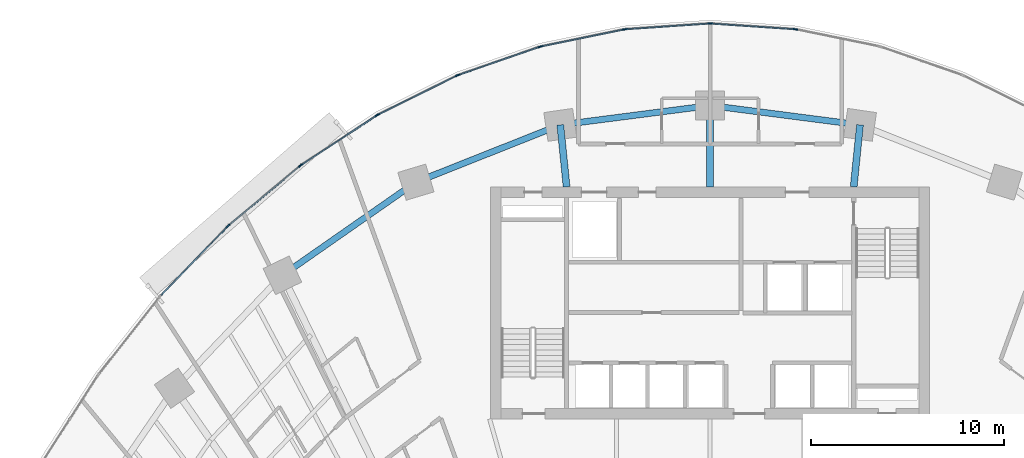
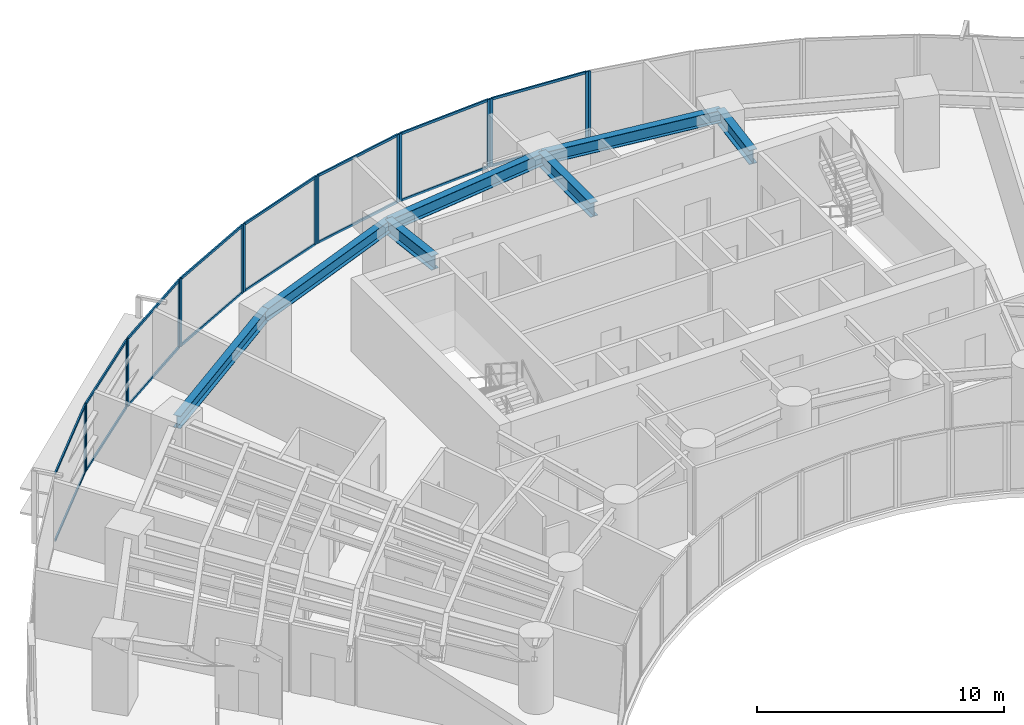
# One storey, part 6 of 18: 32 members, 7 beams, 9 elements without a shape of their own.
"""IFC4 building model written with IfcOpenShell, lengths in metres."""

from ifc_helpers import new_model, si_unit, direction, frame, origin, origin_2d, place, context, subcontext, project, spatial, rectangle, i_section, extrude, source, transform, mapped, material, layer, layer_set, material_profile, profile_set, type_object, type_shapes, element, aggregate, save


model = new_model("IFC4")

# Units and contexts
model_context = context("Model", 3, precision=1e-05, world=origin(), true_north=direction((0.0, 1.0)))
body_context = subcontext(model_context, "Body", "Model", "MODEL_VIEW")
ifc_project = project(units=[si_unit("LENGTHUNIT", "METRE"), si_unit("AREAUNIT", "SQUARE_METRE"), si_unit("VOLUMEUNIT", "CUBIC_METRE"), si_unit("PLANEANGLEUNIT", "RADIAN"), si_unit("MASSUNIT", "GRAM", prefix="KILO")], contexts=[model_context])

# Site, building, storey
site_placement = place(None, origin())
site = spatial("IfcSite", under=ifc_project, at=site_placement, CompositionType="ELEMENT")
building_placement = place(site_placement, origin())
building = spatial("IfcBuilding", under=site, at=building_placement, Name="Breltana Convention Tower", CompositionType="ELEMENT")
storey_placement = place(building_placement, frame((0.0, 0.0, 35.39990234375)))
storey = spatial("IfcBuildingStorey", under=building, at=storey_placement, Name="L06", CompositionType="ELEMENT", Elevation=35.39990234375)

# Beams
ifc_material_1 = material(Name="Steel ASTM A992 Grade 50", Category="steel")
ifc_material_profile_1 = material_profile(ifc_material_1, i_section(OverallWidth=0.323974609375, OverallDepth=0.611083984375, WebThickness=0.0126953125, FlangeThickness=0.01904296875, at=origin_2d()), Name="W24X104")
ifc_profile_set_1 = profile_set([ifc_material_profile_1], Name="Steel ASTM A992 Grade 50")
beam_type_1 = type_object("IfcBeamType", Name="BM-SP-W24X104", PredefinedType="SPANDREL", material=ifc_profile_set_1)
shared_shape_1 = source(origin(), body_context, "Body", "SweptSolid", [
    extrude(i_section(OverallWidth=0.323974609375, OverallDepth=0.611083984375, WebThickness=0.0126953125, FlangeThickness=0.01904296875, at=origin_2d()), origin(), (0.0, 0.0, 1.0), 8.4169921875),
])
beam_1_placement = place(storey_placement, frame((25.8876953125, 67.626953125, 3.0546875), z_axis=(0.820173800102, 0.572114444519, 0.0), x_axis=(-0.572114444519, 0.820173800102, 0.0)))
element("IfcBeam", 1, at=beam_1_placement, inside=storey, type_object=beam_type_1, Name="L06 Outer Spandrel Beam 03", PredefinedType="SPANDREL", context=body_context, shape_type="MappedRepresentation", body=[
    mapped(shared_shape_1, transform((0.0, 0.0, 0.0), scale=1.0)),
])
shared_shape_2 = source(origin(), body_context, "Body", "SweptSolid", [
    extrude(i_section(OverallWidth=0.323974609375, OverallDepth=0.611083984375, WebThickness=0.0126953125, FlangeThickness=0.01904296875, at=origin_2d()), origin(), (0.0, 0.0, 1.0), 8.028564453125),
])
beam_2_placement = place(storey_placement, frame((32.791015625, 72.4423828125, 3.0546875), z_axis=(0.929459100394, 0.368925169507, 0.0), x_axis=(-0.368925169507, 0.929459100394, 0.0)))
element("IfcBeam", 2, at=beam_2_placement, inside=storey, type_object=beam_type_1, Name="L06 Outer Spandrel Beam 04", PredefinedType="SPANDREL", context=body_context, shape_type="MappedRepresentation", body=[
    mapped(shared_shape_2, transform((0.0, 0.0, 0.0), scale=1.0)),
])
shared_shape_3 = source(origin(), body_context, "Body", "SweptSolid", [
    extrude(i_section(OverallWidth=0.323974609375, OverallDepth=0.611083984375, WebThickness=0.0126953125, FlangeThickness=0.01904296875, at=origin_2d()), origin(), (0.0, 0.0, 1.0), 7.81103515625),
])
for number, where, z_axis, x_axis, name in (
    (3, (40.253173828125, 75.404296875, 3.0546875), (0.991775179127, 0.127992164083, 0.0), (-0.127992164083, 0.991775179127, 0.0), "L06 Outer Spandrel Beam 05"),
    (4, (48.0, 76.404052734375, 3.0546875), (0.991775179127, -0.127992164083, 0.0), (0.127992164083, 0.991775179127, 0.0), "L06 Outer Spandrel Beam 06"),
):
    element("IfcBeam", number, at=place(storey_placement, frame(where, z_axis=z_axis, x_axis=x_axis)), inside=storey, type_object=beam_type_1, Name=name, PredefinedType="SPANDREL", context=body_context, shape_type="MappedRepresentation", body=[
        mapped(shared_shape_3, transform((0.0, 0.0, 0.0), scale=1.0)),
    ])
ifc_material_profile_2 = material_profile(ifc_material_1, i_section(OverallWidth=0.35498046875, OverallDepth=0.696044921875, WebThickness=0.015380859375, FlangeThickness=0.02490234375, at=origin_2d()), Name="W27X146")
ifc_profile_set_2 = profile_set([ifc_material_profile_2], Name="Steel ASTM A992 Grade 50")
beam_type_2 = type_object("IfcBeamType", Name="BM-RG-W27X146", PredefinedType="USERDEFINED", material=ifc_profile_set_2)
shared_shape_4 = source(origin(), body_context, "Body", "SweptSolid", [
    extrude(i_section(OverallWidth=0.35498046875, OverallDepth=0.696044921875, WebThickness=0.015380859375, FlangeThickness=0.02490234375, at=origin_2d()), origin(), (0.0, 0.0, 1.0), 3.220947265625),
])
for number, where, z_axis, x_axis, name in (
    (5, (40.580078125, 72.199951171875, 3.01220703125), (-0.101492254858, 0.994836329355, 0.0), (-0.994836329355, -0.101492254858, 0.0), "L06 North Core Radial Girder R05"),
    (6, (55.419921875, 72.199951171875, 3.01220703125), (0.101492254858, 0.994836329355, 0.0), (-0.994836329355, 0.101492254858, 0.0), "L06 North Core Radial Girder R07"),
):
    element("IfcBeam", number, at=place(storey_placement, frame(where, z_axis=z_axis, x_axis=x_axis)), inside=storey, type_object=beam_type_2, Name=name, ObjectType="GIRDER", PredefinedType="USERDEFINED", context=body_context, shape_type="MappedRepresentation", body=[
        mapped(shared_shape_4, transform((0.0, 0.0, 0.0), scale=1.0)),
    ])
shared_shape_5 = source(origin(), body_context, "Body", "SweptSolid", [
    extrude(i_section(OverallWidth=0.35498046875, OverallDepth=0.696044921875, WebThickness=0.015380859375, FlangeThickness=0.02490234375, at=origin_2d()), origin(), (0.0, 0.0, 1.0), 4.2041015625),
])
beam_3_placement = place(storey_placement, frame((48.0, 72.199951171875, 3.01220703125), z_axis=(0.0, 1.0, 0.0), x_axis=(-1.0, 0.0, 0.0)))
element("IfcBeam", 7, at=beam_3_placement, inside=storey, type_object=beam_type_2, Name="L06 North Core Radial Girder R06", ObjectType="GIRDER", PredefinedType="USERDEFINED", context=body_context, shape_type="MappedRepresentation", body=[
    mapped(shared_shape_5, transform((0.0, 0.0, 0.0), scale=1.0)),
])

# Curtain wall, member
ifc_material_2 = material(Name="Aluminium Anodised Bronze Frame", Category="aluminium")
ifc_layer = layer(ifc_material_2, 0.199951171875, Name="Aluminium Anodised Bronze Frame")
ifc_layer_set = layer_set([ifc_layer], Name="Aluminium Anodised Bronze Frame")
curtain_wall_type = type_object("IfcCurtainWallType", Name="CW-SYS-2", PredefinedType="NOTDEFINED", material=ifc_layer_set)
curtain_wall_1_placement = place(storey_placement, origin())
curtain_wall_1 = element("IfcCurtainWall", 8, at=curtain_wall_1_placement, inside=storey, type_object=curtain_wall_type, Name="L06 outer double-skin inner glazing 3", PredefinedType="NOTDEFINED")
ifc_material_3 = material(Name="Aluminium Anodised Bronze", Category="aluminium")
ifc_material_profile_3 = material_profile(ifc_material_3, rectangle(XDim=0.070068359375, YDim=0.175048828125, at=origin_2d()), Name="CWM-70X175")
ifc_profile_set_3 = profile_set([ifc_material_profile_3], Name="Aluminium Anodised Bronze")
member_type_1 = type_object("IfcMemberType", Name="CWM-175", PredefinedType="MULLION", material=ifc_profile_set_3)
shared_shape_6 = source(origin(), body_context, "Body", "SweptSolid", [
    extrude(rectangle(XDim=0.070068359375, YDim=0.175048828125, at=origin_2d()), origin(), (0.0, 0.0, 1.0), 3.360107421875),
])
type_shapes(member_type_1, [shared_shape_6])
member_1_placement = place(storey_placement, frame((23.044189453125, 70.147705078125, 0.0), z_axis=(0.0, 0.0, 1.0), x_axis=(-0.719386421003, 0.694610090106, 0.0)))
member_1 = element("IfcMember", 9, at=member_1_placement, type_object=member_type_1, Name="CW-02 mullion 2", PredefinedType="MULLION", context=body_context, shape_type="MappedRepresentation", body=[
    mapped(shared_shape_6, transform((0.0, 0.0, 0.0), scale=1.0)),
])

# Curtain wall, members
curtain_wall_2_placement = place(storey_placement, origin())
curtain_wall_2 = element("IfcCurtainWall", 10, at=curtain_wall_2_placement, inside=storey, type_object=curtain_wall_type, Name="L06 outer double-skin inner glazing 4", PredefinedType="NOTDEFINED")
member_2_placement = place(storey_placement, frame((23.09521484375, 70.1953125, 0.0), z_axis=(0.0, 0.0, 1.0), x_axis=(-0.640520193554, 0.767941326958, 0.0)))
member_2 = element("IfcMember", 11, at=member_2_placement, type_object=member_type_1, Name="CW-02 mullion 1", PredefinedType="MULLION", context=body_context, shape_type="MappedRepresentation", body=[
    mapped(shared_shape_6, transform((0.0, 0.0, 0.0), scale=1.0)),
])
member_3_placement = place(storey_placement, frame((26.79736328125, 73.283203125, 0.0), z_axis=(0.0, 0.0, 1.0), x_axis=(-0.640520193554, 0.767941326958, 0.0)))
member_3 = element("IfcMember", 12, at=member_3_placement, type_object=member_type_1, Name="CW-02 mullion 2", PredefinedType="MULLION", context=body_context, shape_type="MappedRepresentation", body=[
    mapped(shared_shape_6, transform((0.0, 0.0, 0.0), scale=1.0)),
])

curtain_wall_3_placement = place(storey_placement, origin())
curtain_wall_3 = element("IfcCurtainWall", 13, at=curtain_wall_3_placement, inside=storey, type_object=curtain_wall_type, Name="L06 outer double-skin inner glazing 5", PredefinedType="NOTDEFINED")
member_4_placement = place(storey_placement, frame((26.853515625, 73.32470703125, 0.0), z_axis=(0.0, 0.0, 1.0), x_axis=(-0.548784255746, 0.83596401875, 0.0)))
member_4 = element("IfcMember", 14, at=member_4_placement, type_object=member_type_1, Name="CW-02 mullion 1", PredefinedType="MULLION", context=body_context, shape_type="MappedRepresentation", body=[
    mapped(shared_shape_6, transform((0.0, 0.0, 0.0), scale=1.0)),
])
member_5_placement = place(storey_placement, frame((30.766357421875, 75.8935546875, 0.0), z_axis=(0.0, 0.0, 1.0), x_axis=(-0.548784255746, 0.83596401875, 0.0)))
member_5 = element("IfcMember", 15, at=member_5_placement, type_object=member_type_1, Name="CW-02 mullion 2", PredefinedType="MULLION", context=body_context, shape_type="MappedRepresentation", body=[
    mapped(shared_shape_6, transform((0.0, 0.0, 0.0), scale=1.0)),
])

curtain_wall_4_placement = place(storey_placement, origin())
curtain_wall_4 = element("IfcCurtainWall", 16, at=curtain_wall_4_placement, inside=storey, type_object=curtain_wall_type, Name="L06 outer double-skin inner glazing 6", PredefinedType="NOTDEFINED")
member_6_placement = place(storey_placement, frame((30.8271484375, 75.92822265625, 0.0), z_axis=(0.0, 0.0, 1.0), x_axis=(-0.444107703726, 0.895973407804, 0.0)))
member_6 = element("IfcMember", 17, at=member_6_placement, type_object=member_type_1, Name="CW-02 mullion 1", PredefinedType="MULLION", context=body_context, shape_type="MappedRepresentation", body=[
    mapped(shared_shape_6, transform((0.0, 0.0, 0.0), scale=1.0)),
])
member_7_placement = place(storey_placement, frame((34.910400390625, 77.9521484375, 0.0), z_axis=(0.0, 0.0, 1.0), x_axis=(-0.444107703726, 0.895973407804, 0.0)))
member_7 = element("IfcMember", 18, at=member_7_placement, type_object=member_type_1, Name="CW-02 mullion 2", PredefinedType="MULLION", context=body_context, shape_type="MappedRepresentation", body=[
    mapped(shared_shape_6, transform((0.0, 0.0, 0.0), scale=1.0)),
])

curtain_wall_5_placement = place(storey_placement, origin())
curtain_wall_5 = element("IfcCurtainWall", 19, at=curtain_wall_5_placement, inside=storey, type_object=curtain_wall_type, Name="L06 outer double-skin inner glazing 7", PredefinedType="NOTDEFINED")
member_8_placement = place(storey_placement, frame((34.974853515625, 77.979248046875, 0.0), z_axis=(0.0, 0.0, 1.0), x_axis=(-0.32742834581, 0.944876012163, 0.0)))
member_8 = element("IfcMember", 20, at=member_8_placement, type_object=member_type_1, Name="CW-02 mullion 1", PredefinedType="MULLION", context=body_context, shape_type="MappedRepresentation", body=[
    mapped(shared_shape_6, transform((0.0, 0.0, 0.0), scale=1.0)),
])
member_9_placement = place(storey_placement, frame((39.1875, 79.43896484375, 0.0), z_axis=(0.0, 0.0, 1.0), x_axis=(-0.32742834581, 0.944876012163, 0.0)))
member_9 = element("IfcMember", 21, at=member_9_placement, type_object=member_type_1, Name="CW-02 mullion 2", PredefinedType="MULLION", context=body_context, shape_type="MappedRepresentation", body=[
    mapped(shared_shape_6, transform((0.0, 0.0, 0.0), scale=1.0)),
])

curtain_wall_6_placement = place(storey_placement, origin())
curtain_wall_6 = element("IfcCurtainWall", 22, at=curtain_wall_6_placement, inside=storey, type_object=curtain_wall_type, Name="L06 outer double-skin inner glazing 8", PredefinedType="NOTDEFINED")
member_10_placement = place(storey_placement, frame((39.2548828125, 79.45751953125, 0.0), z_axis=(0.0, 0.0, 1.0), x_axis=(-0.200884537139, 0.979614925743, 0.0)))
member_10 = element("IfcMember", 23, at=member_10_placement, type_object=member_type_1, Name="CW-02 mullion 1", PredefinedType="MULLION", context=body_context, shape_type="MappedRepresentation", body=[
    mapped(shared_shape_6, transform((0.0, 0.0, 0.0), scale=1.0)),
])
member_11_placement = place(storey_placement, frame((43.5537109375, 80.339111328125, 0.0), z_axis=(0.0, 0.0, 1.0), x_axis=(-0.200884537139, 0.979614925743, 0.0)))
member_11 = element("IfcMember", 24, at=member_11_placement, type_object=member_type_1, Name="CW-02 mullion 2", PredefinedType="MULLION", context=body_context, shape_type="MappedRepresentation", body=[
    mapped(shared_shape_6, transform((0.0, 0.0, 0.0), scale=1.0)),
])

curtain_wall_7_placement = place(storey_placement, origin())
curtain_wall_7 = element("IfcCurtainWall", 25, at=curtain_wall_7_placement, inside=storey, type_object=curtain_wall_type, Name="L06 outer double-skin inner glazing 9", PredefinedType="NOTDEFINED")
member_12_placement = place(storey_placement, frame((43.622802734375, 80.348388671875, 0.0), z_axis=(0.0, 0.0, 1.0), x_axis=(-0.067725650529, 0.997703982282, 0.0)))
member_12 = element("IfcMember", 26, at=member_12_placement, type_object=member_type_1, Name="CW-02 mullion 1", PredefinedType="MULLION", context=body_context, shape_type="MappedRepresentation", body=[
    mapped(shared_shape_6, transform((0.0, 0.0, 0.0), scale=1.0)),
])
member_13_placement = place(storey_placement, frame((47.965087890625, 80.643310546875, 0.0), z_axis=(0.0, 0.0, 1.0), x_axis=(-0.067725650529, 0.997703982282, 0.0)))
member_13 = element("IfcMember", 27, at=member_13_placement, type_object=member_type_1, Name="CW-02 mullion 2", PredefinedType="MULLION", context=body_context, shape_type="MappedRepresentation", body=[
    mapped(shared_shape_6, transform((0.0, 0.0, 0.0), scale=1.0)),
])

curtain_wall_8_placement = place(storey_placement, origin())
curtain_wall_8 = element("IfcCurtainWall", 28, at=curtain_wall_8_placement, inside=storey, type_object=curtain_wall_type, Name="L06 outer double-skin inner glazing 10", PredefinedType="NOTDEFINED")
member_14_placement = place(storey_placement, frame((48.034912109375, 80.643310546875, 0.0), z_axis=(0.0, 0.0, 1.0), x_axis=(0.067725650529, 0.997703982282, 0.0)))
member_14 = element("IfcMember", 29, at=member_14_placement, type_object=member_type_1, Name="CW-02 mullion 1", PredefinedType="MULLION", context=body_context, shape_type="MappedRepresentation", body=[
    mapped(shared_shape_6, transform((0.0, 0.0, 0.0), scale=1.0)),
])
member_15_placement = place(storey_placement, frame((52.377197265625, 80.348388671875, 0.0), z_axis=(0.0, 0.0, 1.0), x_axis=(0.067725650529, 0.997703982282, 0.0)))
member_15 = element("IfcMember", 30, at=member_15_placement, type_object=member_type_1, Name="CW-02 mullion 2", PredefinedType="MULLION", context=body_context, shape_type="MappedRepresentation", body=[
    mapped(shared_shape_6, transform((0.0, 0.0, 0.0), scale=1.0)),
])

# Curtain wall, member
curtain_wall_9_placement = place(storey_placement, origin())
curtain_wall_9 = element("IfcCurtainWall", 31, at=curtain_wall_9_placement, inside=storey, type_object=curtain_wall_type, Name="L06 outer double-skin inner glazing 11", PredefinedType="NOTDEFINED")
member_16_placement = place(storey_placement, frame((52.4462890625, 80.339111328125, 0.0), z_axis=(0.0, 0.0, 1.0), x_axis=(0.200884537139, 0.979614925743, 0.0)))
member_16 = element("IfcMember", 32, at=member_16_placement, type_object=member_type_1, Name="CW-02 mullion 1", PredefinedType="MULLION", context=body_context, shape_type="MappedRepresentation", body=[
    mapped(shared_shape_6, transform((0.0, 0.0, 0.0), scale=1.0)),
])
aggregate(curtain_wall_9, [member_16])

# Member
ifc_material_profile_4 = material_profile(ifc_material_3, rectangle(XDim=0.070068359375, YDim=0.1201171875, at=origin_2d()), Name="CWT-70X120")
ifc_profile_set_4 = profile_set([ifc_material_profile_4], Name="Aluminium Anodised Bronze")
member_type_2 = type_object("IfcMemberType", Name="CWT-120", PredefinedType="USERDEFINED", material=ifc_profile_set_4)
shared_shape_7 = source(origin(), body_context, "Body", "SweptSolid", [
    extrude(rectangle(XDim=0.070068359375, YDim=0.1201171875, at=origin_2d()), origin(), (0.0, 0.0, 1.0), 4.901123046875),
])
member_17_placement = place(storey_placement, frame((19.615478515625, 66.5966796875, 0.03515625), z_axis=(0.6945945137, 0.719401460617, 0.0), x_axis=(-0.719401460617, 0.6945945137, 0.0)))
member_17 = element("IfcMember", 33, at=member_17_placement, type_object=member_type_2, Name="CW-02 transom 1.1", ObjectType="TRANSOM", PredefinedType="USERDEFINED", context=body_context, shape_type="MappedRepresentation", body=[
    mapped(shared_shape_7, transform((0.0, 0.0, 0.0), scale=1.0)),
])

member_18_placement = place(storey_placement, frame((19.615478515625, 66.5966796875, 3.3251953125), z_axis=(0.6945945137, 0.719401460617, 0.0), x_axis=(-0.719401460617, 0.6945945137, 0.0)))
member_18 = element("IfcMember", 34, at=member_18_placement, type_object=member_type_2, Name="CW-02 transom 1.2", ObjectType="TRANSOM", PredefinedType="USERDEFINED", context=body_context, shape_type="MappedRepresentation", body=[
    mapped(shared_shape_7, transform((0.0, 0.0, 0.0), scale=1.0)),
])

aggregate(curtain_wall_1, [member_1, member_17, member_18])

shared_shape_8 = source(origin(), body_context, "Body", "SweptSolid", [
    extrude(rectangle(XDim=0.070068359375, YDim=0.1201171875, at=origin_2d()), origin(), (0.0, 0.0, 1.0), 4.7509765625),
])
member_19_placement = place(storey_placement, frame((23.1220703125, 70.2177734375, 0.03515625), z_axis=(0.767951631807, 0.64050783852, 0.0), x_axis=(-0.64050783852, 0.767951631807, 0.0)))
member_19 = element("IfcMember", 35, at=member_19_placement, type_object=member_type_2, Name="CW-02 transom 1.1", ObjectType="TRANSOM", PredefinedType="USERDEFINED", context=body_context, shape_type="MappedRepresentation", body=[
    mapped(shared_shape_8, transform((0.0, 0.0, 0.0), scale=1.0)),
])

member_20_placement = place(storey_placement, frame((23.1220703125, 70.2177734375, 3.3251953125), z_axis=(0.767951631807, 0.64050783852, 0.0), x_axis=(-0.64050783852, 0.767951631807, 0.0)))
member_20 = element("IfcMember", 36, at=member_20_placement, type_object=member_type_2, Name="CW-02 transom 1.2", ObjectType="TRANSOM", PredefinedType="USERDEFINED", context=body_context, shape_type="MappedRepresentation", body=[
    mapped(shared_shape_8, transform((0.0, 0.0, 0.0), scale=1.0)),
])

aggregate(curtain_wall_2, [member_2, member_3, member_19, member_20])

shared_shape_9 = source(origin(), body_context, "Body", "SweptSolid", [
    extrude(rectangle(XDim=0.070068359375, YDim=0.1201171875, at=origin_2d()), origin(), (0.0, 0.0, 1.0), 4.610595703125),
])
member_21_placement = place(storey_placement, frame((26.8828125, 73.343994140625, 0.03515625), z_axis=(0.835956055104, 0.54879638659, 0.0), x_axis=(-0.54879638659, 0.835956055104, 0.0)))
member_21 = element("IfcMember", 37, at=member_21_placement, type_object=member_type_2, Name="CW-02 transom 1.1", ObjectType="TRANSOM", PredefinedType="USERDEFINED", context=body_context, shape_type="MappedRepresentation", body=[
    mapped(shared_shape_9, transform((0.0, 0.0, 0.0), scale=1.0)),
])

member_22_placement = place(storey_placement, frame((26.8828125, 73.343994140625, 3.3251953125), z_axis=(0.835956055104, 0.54879638659, 0.0), x_axis=(-0.54879638659, 0.835956055104, 0.0)))
member_22 = element("IfcMember", 38, at=member_22_placement, type_object=member_type_2, Name="CW-02 transom 1.2", ObjectType="TRANSOM", PredefinedType="USERDEFINED", context=body_context, shape_type="MappedRepresentation", body=[
    mapped(shared_shape_9, transform((0.0, 0.0, 0.0), scale=1.0)),
])

aggregate(curtain_wall_3, [member_4, member_5, member_21, member_22])

shared_shape_10 = source(origin(), body_context, "Body", "SweptSolid", [
    extrude(rectangle(XDim=0.070068359375, YDim=0.1201171875, at=origin_2d()), origin(), (0.0, 0.0, 1.0), 4.487548828125),
])
member_23_placement = place(storey_placement, frame((30.8583984375, 75.94384765625, 0.03515625), z_axis=(0.895977728863, 0.444098986017, 0.0), x_axis=(-0.444098986017, 0.895977728863, 0.0)))
member_23 = element("IfcMember", 39, at=member_23_placement, type_object=member_type_2, Name="CW-02 transom 1.1", ObjectType="TRANSOM", PredefinedType="USERDEFINED", context=body_context, shape_type="MappedRepresentation", body=[
    mapped(shared_shape_10, transform((0.0, 0.0, 0.0), scale=1.0)),
])

member_24_placement = place(storey_placement, frame((30.8583984375, 75.94384765625, 3.3251953125), z_axis=(0.895977728863, 0.444098986017, 0.0), x_axis=(-0.444098986017, 0.895977728863, 0.0)))
member_24 = element("IfcMember", 40, at=member_24_placement, type_object=member_type_2, Name="CW-02 transom 1.2", ObjectType="TRANSOM", PredefinedType="USERDEFINED", context=body_context, shape_type="MappedRepresentation", body=[
    mapped(shared_shape_10, transform((0.0, 0.0, 0.0), scale=1.0)),
])

aggregate(curtain_wall_4, [member_6, member_7, member_23, member_24])

shared_shape_11 = source(origin(), body_context, "Body", "SweptSolid", [
    extrude(rectangle(XDim=0.070068359375, YDim=0.1201171875, at=origin_2d()), origin(), (0.0, 0.0, 1.0), 4.38818359375),
])
member_25_placement = place(storey_placement, frame((35.008056640625, 77.99072265625, 0.03515625), z_axis=(0.944878203019, 0.32742202348, 0.0), x_axis=(-0.32742202348, 0.944878203019, 0.0)))
member_25 = element("IfcMember", 41, at=member_25_placement, type_object=member_type_2, Name="CW-02 transom 1.1", ObjectType="TRANSOM", PredefinedType="USERDEFINED", context=body_context, shape_type="MappedRepresentation", body=[
    mapped(shared_shape_11, transform((0.0, 0.0, 0.0), scale=1.0)),
])

member_26_placement = place(storey_placement, frame((35.008056640625, 77.99072265625, 3.3251953125), z_axis=(0.944878203019, 0.32742202348, 0.0), x_axis=(-0.32742202348, 0.944878203019, 0.0)))
member_26 = element("IfcMember", 42, at=member_26_placement, type_object=member_type_2, Name="CW-02 transom 1.2", ObjectType="TRANSOM", PredefinedType="USERDEFINED", context=body_context, shape_type="MappedRepresentation", body=[
    mapped(shared_shape_11, transform((0.0, 0.0, 0.0), scale=1.0)),
])

aggregate(curtain_wall_5, [member_8, member_9, member_25, member_26])

shared_shape_12 = source(origin(), body_context, "Body", "SweptSolid", [
    extrude(rectangle(XDim=0.070068359375, YDim=0.1201171875, at=origin_2d()), origin(), (0.0, 0.0, 1.0), 4.318359375),
])
member_27_placement = place(storey_placement, frame((39.2890625, 79.464599609375, 0.03515625), z_axis=(0.979616680923, 0.200875977799, 0.0), x_axis=(-0.200875977799, 0.979616680923, 0.0)))
member_27 = element("IfcMember", 43, at=member_27_placement, type_object=member_type_2, Name="CW-02 transom 1.1", ObjectType="TRANSOM", PredefinedType="USERDEFINED", context=body_context, shape_type="MappedRepresentation", body=[
    mapped(shared_shape_12, transform((0.0, 0.0, 0.0), scale=1.0)),
])

member_28_placement = place(storey_placement, frame((39.2890625, 79.464599609375, 3.3251953125), z_axis=(0.979616680923, 0.200875977799, 0.0), x_axis=(-0.200875977799, 0.979616680923, 0.0)))
member_28 = element("IfcMember", 44, at=member_28_placement, type_object=member_type_2, Name="CW-02 transom 1.2", ObjectType="TRANSOM", PredefinedType="USERDEFINED", context=body_context, shape_type="MappedRepresentation", body=[
    mapped(shared_shape_12, transform((0.0, 0.0, 0.0), scale=1.0)),
])

aggregate(curtain_wall_6, [member_10, member_11, member_27, member_28])

shared_shape_13 = source(origin(), body_context, "Body", "SweptSolid", [
    extrude(rectangle(XDim=0.070068359375, YDim=0.1201171875, at=origin_2d()), origin(), (0.0, 0.0, 1.0), 4.2822265625),
])
member_29_placement = place(storey_placement, frame((43.65771484375, 80.350830078125, 0.03515625), z_axis=(0.997703698684, 0.067729828231, 0.0), x_axis=(-0.067729828231, 0.997703698684, 0.0)))
member_29 = element("IfcMember", 45, at=member_29_placement, type_object=member_type_2, Name="CW-02 transom 1.1", ObjectType="TRANSOM", PredefinedType="USERDEFINED", context=body_context, shape_type="MappedRepresentation", body=[
    mapped(shared_shape_13, transform((0.0, 0.0, 0.0), scale=1.0)),
])

member_30_placement = place(storey_placement, frame((43.65771484375, 80.350830078125, 3.3251953125), z_axis=(0.997703698684, 0.067729828231, 0.0), x_axis=(-0.067729828231, 0.997703698684, 0.0)))
member_30 = element("IfcMember", 46, at=member_30_placement, type_object=member_type_2, Name="CW-02 transom 1.2", ObjectType="TRANSOM", PredefinedType="USERDEFINED", context=body_context, shape_type="MappedRepresentation", body=[
    mapped(shared_shape_13, transform((0.0, 0.0, 0.0), scale=1.0)),
])

aggregate(curtain_wall_7, [member_12, member_13, member_29, member_30])

member_31_placement = place(storey_placement, frame((48.06982421875, 80.640869140625, 0.03515625), z_axis=(0.997703698684, -0.067729828231, 0.0), x_axis=(0.067729828231, 0.997703698684, 0.0)))
member_31 = element("IfcMember", 47, at=member_31_placement, type_object=member_type_2, Name="CW-02 transom 1.1", ObjectType="TRANSOM", PredefinedType="USERDEFINED", context=body_context, shape_type="MappedRepresentation", body=[
    mapped(shared_shape_13, transform((0.0, 0.0, 0.0), scale=1.0)),
])

member_32_placement = place(storey_placement, frame((48.06982421875, 80.640869140625, 3.3251953125), z_axis=(0.997703698684, -0.067729828231, 0.0), x_axis=(0.067729828231, 0.997703698684, 0.0)))
member_32 = element("IfcMember", 48, at=member_32_placement, type_object=member_type_2, Name="CW-02 transom 1.2", ObjectType="TRANSOM", PredefinedType="USERDEFINED", context=body_context, shape_type="MappedRepresentation", body=[
    mapped(shared_shape_13, transform((0.0, 0.0, 0.0), scale=1.0)),
])

aggregate(curtain_wall_8, [member_14, member_15, member_31, member_32])

save(model, "model.ifc")
